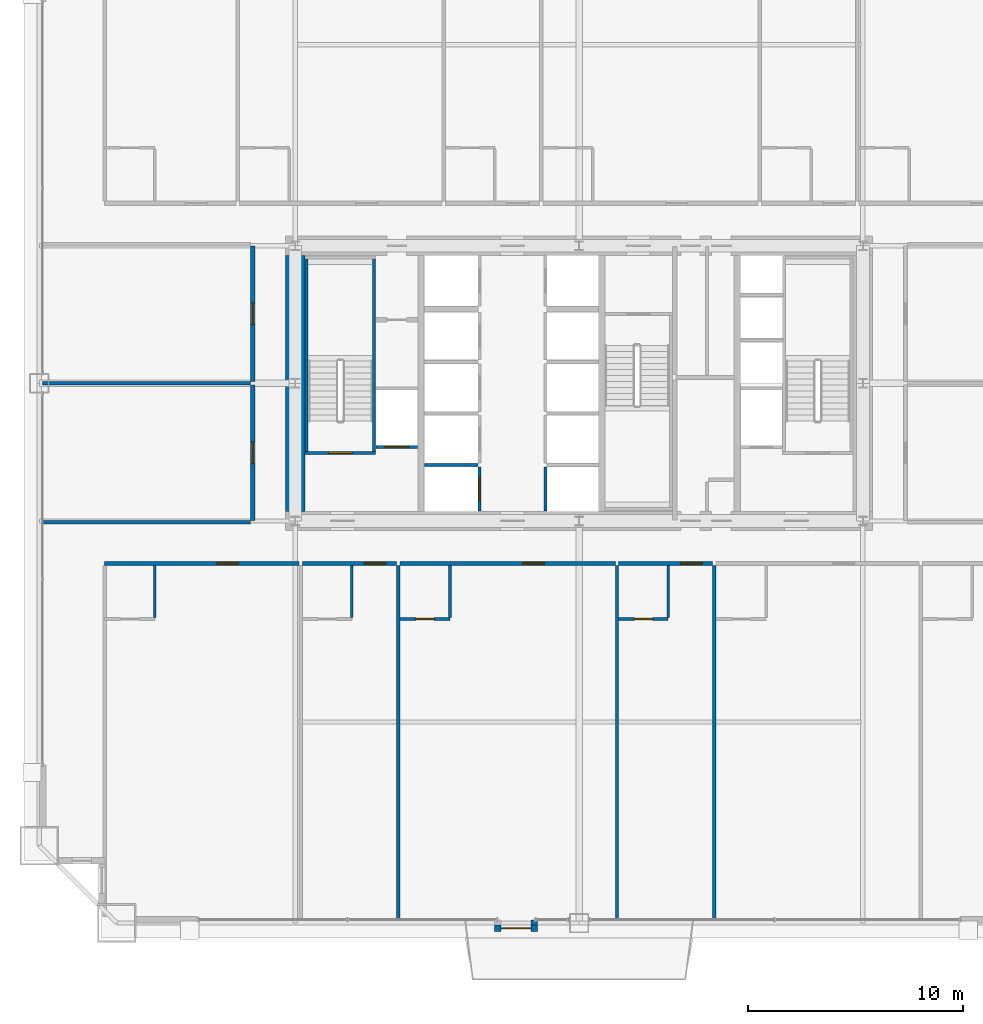
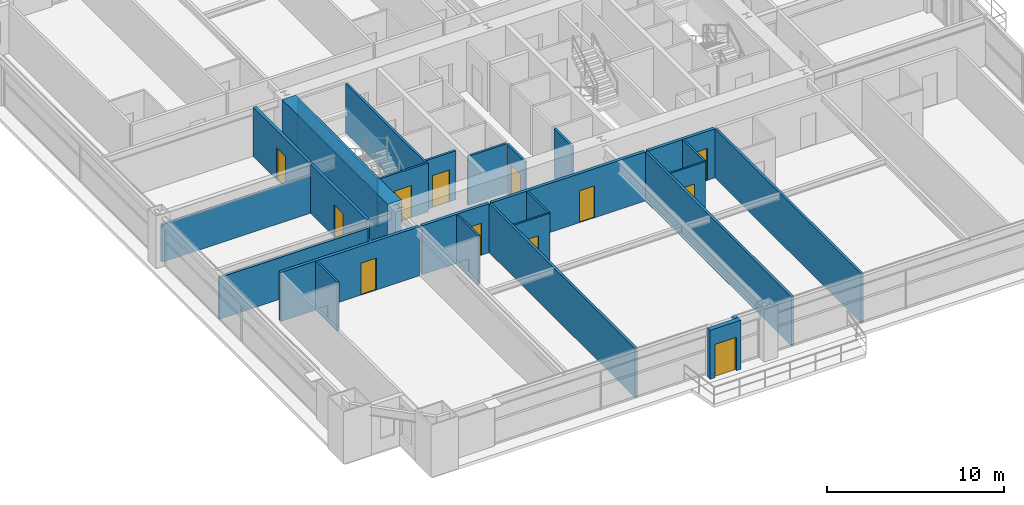
# One storey, part 38 of 43: 27 walls, 12 doors, 12 openings.
"""IFC4 building model written with IfcOpenShell, lengths in metres."""

from ifc_helpers import new_model, si_unit, direction, frame, frame_2d, origin, place, context, subcontext, project, spatial, rectangle, extrude, source, transform, mapped, material, layer, layer_set, type_object, element, fill, save


model = new_model("IFC4")

# Units and contexts
model_context = context("Model", 3, precision=1e-05, world=origin(), true_north=direction((0.0, 1.0)))
body_context = subcontext(model_context, "Body", "Model", "MODEL_VIEW")
ifc_project = project(units=[si_unit("LENGTHUNIT", "METRE"), si_unit("AREAUNIT", "SQUARE_METRE"), si_unit("VOLUMEUNIT", "CUBIC_METRE"), si_unit("PLANEANGLEUNIT", "RADIAN"), si_unit("MASSUNIT", "GRAM", prefix="KILO"), si_unit("THERMODYNAMICTEMPERATUREUNIT", "KELVIN"), si_unit("POWERUNIT", "WATT")], contexts=[model_context])

# Site, building, storey
site_placement = place(None, origin())
site = spatial("IfcSite", under=ifc_project, at=site_placement, CompositionType="ELEMENT")
building_placement = place(site_placement, origin())
building = spatial("IfcBuilding", under=site, at=building_placement, Name="Yuzanri Waterfront Tower", CompositionType="ELEMENT")
storey_placement = place(building_placement, frame((0.0, 0.0, 71.199951171875)))
storey = spatial("IfcBuildingStorey", under=building, at=storey_placement, Name="L18", CompositionType="ELEMENT", Elevation=71.199951171875)

# Wall, opening, door
ifc_material_1 = material(Name="Moisture-Resistant Gypsum Stud Wall", Category="gypsum")
ifc_layer_1 = layer(ifc_material_1, 0.1201171875)
ifc_layer_set_1 = layer_set([ifc_layer_1], Name="Moisture-Resistant Gypsum Stud Wall")
wall_type_1 = type_object("IfcWallType", Name="Bathroom and Kitchen Wet Partition 120", PredefinedType="PARTITIONING", material=ifc_layer_set_1)
wall_1_placement = place(storey_placement, frame((28.66796875, 14.840087890625, 0.0), z_axis=(0.0, 0.0, 1.0), x_axis=(1.0, 0.0, 0.0)))
wall_1 = element("IfcWall", 1, at=wall_1_placement, inside=storey, type_object=wall_type_1, Name="L18 Partition UW-L18-S3-BS", PredefinedType="PARTITIONING", context=body_context, shape_type="SweptSolid", body=[
    extrude(rectangle(XDim=2.330078125, YDim=0.1201171875, at=frame_2d((1.1650390625, 0.0))), origin(), (0.0, 0.0, 1.0), 3.380126953125),
])
opening_1_placement = place(wall_1_placement, frame((0.739990234375, 0.0, 0.0)))
opening_1 = element("IfcOpeningElement", 2, at=opening_1_placement, cuts=wall_1, Name="Opening ID-0850", PredefinedType="OPENING", context=body_context, shape_type="SweptSolid", body=[
    extrude(rectangle(XDim=0.85009765625, YDim=2.10009765625, at=frame_2d((0.425048828125, 1.050048828125))), frame((0.0, 0.074951171875, 0.0), z_axis=(0.0, -1.0, 0.0), x_axis=(1.0, 0.0, 0.0)), (0.0, 0.0, 1.0), 0.14990234375),
])
ifc_material_2 = material(Name="Moisture-Resistant Lacquered Timber", Category="wood")
door_type_1 = type_object("IfcDoorType", Name="En-Suite Bathroom and Kitchen Swing Door 850x2100", OperationType="NOTDEFINED", PredefinedType="DOOR", material=ifc_material_2)
shared_shape_1 = source(origin(), body_context, "Body", "SweptSolid", [
    extrude(rectangle(XDim=0.85009765625, YDim=2.10009765625, at=frame_2d((0.425048828125, 1.050048828125))), frame((0.0, 0.02490234375, 0.0), z_axis=(0.0, -1.0, 0.0), x_axis=(1.0, 0.0, 0.0)), (0.0, 0.0, 1.0), 0.050048828125),
])
door_1_placement = place(opening_1_placement, origin())
door_1 = element("IfcDoor", 3, at=door_1_placement, inside=storey, type_object=door_type_1, Name="L18 Guest En-Suite Door", OperationType="SINGLE_SWING_LEFT", OverallHeight=2.10009765625, OverallWidth=0.85009765625, PredefinedType="DOOR", context=body_context, shape_type="MappedRepresentation", body=[
    mapped(shared_shape_1, transform((0.0, 0.0, 0.0), scale=1.0)),
])
fill(opening_1, door_1)

wall_2_placement = place(storey_placement, frame((38.844970703125, 14.840087890625, 0.0), z_axis=(0.0, 0.0, 1.0), x_axis=(1.0, 0.0, 0.0)))
wall_2 = element("IfcWall", 4, at=wall_2_placement, inside=storey, type_object=wall_type_1, Name="L18 Partition UW-L18-S4-BS", PredefinedType="PARTITIONING", context=body_context, shape_type="SweptSolid", body=[
    extrude(rectangle(XDim=2.299072265625, YDim=0.1201171875, at=frame_2d((1.1494140625, 0.0))), origin(), (0.0, 0.0, 1.0), 3.380126953125),
])
opening_2_placement = place(wall_2_placement, frame((0.724609375, 0.0, 0.0)))
opening_2 = element("IfcOpeningElement", 5, at=opening_2_placement, cuts=wall_2, Name="Opening ID-0850", PredefinedType="OPENING", context=body_context, shape_type="SweptSolid", body=[
    extrude(rectangle(XDim=0.85009765625, YDim=2.10009765625, at=frame_2d((0.425048828125, 1.050048828125))), frame((0.0, 0.074951171875, 0.0), z_axis=(0.0, -1.0, 0.0), x_axis=(1.0, 0.0, 0.0)), (0.0, 0.0, 1.0), 0.14990234375),
])
door_2_placement = place(opening_2_placement, origin())
door_2 = element("IfcDoor", 6, at=door_2_placement, inside=storey, type_object=door_type_1, Name="L18 Guest En-Suite Door", OperationType="SINGLE_SWING_LEFT", OverallHeight=2.10009765625, OverallWidth=0.85009765625, PredefinedType="DOOR", context=body_context, shape_type="MappedRepresentation", body=[
    mapped(shared_shape_1, transform((0.0, 0.0, 0.0), scale=1.0)),
])
fill(opening_2, door_2)

ifc_material_3 = material(Name="Honed Chongqing Dark Basalt Stone", Category="masonry")
ifc_layer_2 = layer(ifc_material_3, 0.300048828125)
ifc_layer_set_2 = layer_set([ifc_layer_2], Name="Honed Chongqing Dark Basalt Stone")
wall_type_2 = type_object("IfcWallType", Name="Bronze Rainscreen Insulated Spandrel Portal Wall 300", PredefinedType="SOLIDWALL", material=ifc_layer_set_2)
wall_3_placement = place(storey_placement, frame((33.074951171875, 0.449951171875, 0.0), z_axis=(0.0, 0.0, 1.0), x_axis=(1.0, 0.0, 0.0)))
wall_3 = element("IfcWall", 7, at=wall_3_placement, inside=storey, type_object=wall_type_2, Name="L18 S Terrace Door Portal Wall", PredefinedType="SOLIDWALL", context=body_context, shape_type="SweptSolid", body=[
    extrude(rectangle(XDim=2.0, YDim=0.300048828125, at=frame_2d((1.0, 0.0))), origin(), (0.0, 0.0, 1.0), 3.380126953125),
])
opening_3_placement = place(wall_3_placement, frame((0.300048828125, 0.0, 0.0)))
opening_3 = element("IfcOpeningElement", 8, at=opening_3_placement, cuts=wall_3, Name="Opening TD-1400", PredefinedType="OPENING", context=body_context, shape_type="SweptSolid", body=[
    extrude(rectangle(XDim=1.39990234375, YDim=2.300048828125, at=frame_2d((0.699951171875, 1.14990234375))), frame((0.0, 0.1650390625, 0.0), z_axis=(0.0, -1.0, 0.0), x_axis=(1.0, 0.0, 0.0)), (0.0, 0.0, 1.0), 0.329833984375),
])
ifc_material_4 = material(Name="Anodized Architectural Bronze", Category="metal")
door_type_2 = type_object("IfcDoorType", Name="Anodized Bronze Balcony and Terrace Glazed Double Door 1400x2300", OperationType="NOTDEFINED", PredefinedType="DOOR", material=ifc_material_4)
shared_shape_2 = source(origin(), body_context, "Body", "SweptSolid", [
    extrude(rectangle(XDim=1.39990234375, YDim=2.300048828125, at=frame_2d((0.699951171875, 1.14990234375))), frame((0.0, 0.02490234375, 0.0), z_axis=(0.0, -1.0, 0.0), x_axis=(1.0, 0.0, 0.0)), (0.0, 0.0, 1.0), 0.050048828125),
])
door_3_placement = place(opening_3_placement, origin())
door_3 = element("IfcDoor", 9, at=door_3_placement, inside=storey, type_object=door_type_2, Name="L18 S Terrace Glazed Double Door", OperationType="DOUBLE_DOOR_SINGLE_SWING", OverallHeight=2.300048828125, OverallWidth=1.39990234375, PredefinedType="DOOR", context=body_context, shape_type="MappedRepresentation", body=[
    mapped(shared_shape_2, transform((0.0, 0.0, 0.0), scale=1.0)),
])
fill(opening_3, door_3)

ifc_material_5 = material(Name="Concrete C40", Category="concrete")
ifc_layer_3 = layer(ifc_material_5, 0.139892578125)
ifc_layer_set_3 = layer_set([ifc_layer_3], Name="Concrete C40")
wall_type_3 = type_object("IfcWallType", Name="Core Stair Liner and Hoistway Shaft Wall 140", PredefinedType="SOLIDWALL", material=ifc_layer_set_3)
wall_4_placement = place(storey_placement, frame((27.56005859375, 22.830078125, 0.0), z_axis=(0.0, 0.0, 1.0), x_axis=(1.0, 0.0, 0.0)))
wall_4 = element("IfcWall", 10, at=wall_4_placement, inside=storey, type_object=wall_type_3, Name="L18 Lift FL-01 Front Shaft Wall", PredefinedType="SOLIDWALL", context=body_context, shape_type="SweptSolid", body=[
    extrude(rectangle(XDim=1.919921875, YDim=0.139892578125, at=frame_2d((0.9599609375, 0.0))), origin(), (0.0, 0.0, 1.0), 3.380126953125),
])
opening_4_placement = place(wall_4_placement, frame((0.409912109375, 0.0, 0.0)))
opening_4 = element("IfcOpeningElement", 11, at=opening_4_placement, cuts=wall_4, Name="Opening LD-FL-01", PredefinedType="OPENING", context=body_context, shape_type="SweptSolid", body=[
    extrude(rectangle(XDim=1.10009765625, YDim=2.199951171875, at=frame_2d((0.550048828125, 1.10009765625))), frame((0.0, 0.0849609375, 0.0), z_axis=(0.0, -1.0, 0.0), x_axis=(1.0, 0.0, 0.0)), (0.0, 0.0, 1.0), 0.169677734375),
])
ifc_material_6 = material(Name="Brushed Bronze and Stainless Steel Cab", Category="steel")
door_type_3 = type_object("IfcDoorType", Name="Center-Parting Bronze Lift Landing Sliding Door 1100x2200", OperationType="NOTDEFINED", PredefinedType="DOOR", material=ifc_material_6)
shared_shape_3 = source(origin(), body_context, "Body", "SweptSolid", [
    extrude(rectangle(XDim=1.10009765625, YDim=2.199951171875, at=frame_2d((0.550048828125, 1.10009765625))), frame((0.0, 0.02490234375, 0.0), z_axis=(0.0, -1.0, 0.0), x_axis=(1.0, 0.0, 0.0)), (0.0, 0.0, 1.0), 0.050048828125),
])
door_4_placement = place(opening_4_placement, origin())
door_4 = element("IfcDoor", 12, at=door_4_placement, inside=storey, type_object=door_type_3, Name="L18 FL-01 Lift Landing Sliding Door", OperationType="SLIDING_TO_LEFT", OverallHeight=2.199951171875, OverallWidth=1.10009765625, PredefinedType="DOOR", context=body_context, shape_type="MappedRepresentation", body=[
    mapped(shared_shape_3, transform((0.0, 0.0, 0.0), scale=1.0)),
])
fill(opening_4, door_4)

wall_5_placement = place(storey_placement, frame((32.3701171875, 19.860107421875, 0.0), z_axis=(0.0, 0.0, 1.0), x_axis=(0.0, 1.0, 0.0)))
wall_5 = element("IfcWall", 13, at=wall_5_placement, inside=storey, type_object=wall_type_3, Name="L18 Lift PL-01 Front Shaft Wall", PredefinedType="SOLIDWALL", context=body_context, shape_type="SweptSolid", body=[
    extrude(rectangle(XDim=2.039794921875, YDim=0.139892578125, at=frame_2d((1.02001953125, 0.0))), origin(), (0.0, 0.0, 1.0), 3.380126953125),
])
opening_5_placement = place(wall_5_placement, frame((0.469970703125, 0.0, 0.0)))
opening_5 = element("IfcOpeningElement", 14, at=opening_5_placement, cuts=wall_5, Name="Opening LD-PL-01", PredefinedType="OPENING", context=body_context, shape_type="SweptSolid", body=[
    extrude(rectangle(XDim=1.10009765625, YDim=2.199951171875, at=frame_2d((0.550048828125, 1.10009765625))), frame((0.0, 0.0849609375, 0.0), z_axis=(0.0, -1.0, 0.0), x_axis=(1.0, 0.0, 0.0)), (0.0, 0.0, 1.0), 0.169677734375),
])
door_5_placement = place(opening_5_placement, origin())
door_5 = element("IfcDoor", 15, at=door_5_placement, inside=storey, type_object=door_type_3, Name="L18 PL-01 Lift Landing Sliding Door", OperationType="SLIDING_TO_LEFT", OverallHeight=2.199951171875, OverallWidth=1.10009765625, PredefinedType="DOOR", context=body_context, shape_type="MappedRepresentation", body=[
    mapped(shared_shape_3, transform((0.0, 0.0, 0.0), scale=1.0)),
])
fill(opening_5, door_5)

wall_6_placement = place(storey_placement, frame((24.260009765625, 22.570068359375, 0.0), z_axis=(0.0, 0.0, 1.0), x_axis=(1.0, 0.0, 0.0)))
wall_6 = element("IfcWall", 16, at=wall_6_placement, inside=storey, type_object=wall_type_3, Name="L18 Shaft Wall STW-L18-ST-01-S", PredefinedType="SOLIDWALL", context=body_context, shape_type="SweptSolid", body=[
    extrude(rectangle(XDim=3.280029296875, YDim=0.139892578125, at=frame_2d((1.64013671875, 0.0))), origin(), (0.0, 0.0, 1.0), 3.380126953125),
])
opening_6_placement = place(wall_6_placement, frame((1.090087890625, 0.0, 0.0)))
opening_6 = element("IfcOpeningElement", 17, at=opening_6_placement, cuts=wall_6, Name="Opening FD-1100", PredefinedType="OPENING", context=body_context, shape_type="SweptSolid", body=[
    extrude(rectangle(XDim=1.10009765625, YDim=2.199951171875, at=frame_2d((0.550048828125, 1.10009765625))), frame((0.0, 0.0849609375, 0.0), z_axis=(0.0, -1.0, 0.0), x_axis=(1.0, 0.0, 0.0)), (0.0, 0.0, 1.0), 0.169677734375),
])
ifc_material_7 = material(Name="Painted Galvanized Fire Steel", Category="steel")
door_type_4 = type_object("IfcDoorType", Name="Smoke-Proof Stair and Lobby Fire Door 1100x2200", OperationType="NOTDEFINED", PredefinedType="DOOR", material=ifc_material_7)
shared_shape_4 = source(origin(), body_context, "Body", "SweptSolid", [
    extrude(rectangle(XDim=1.10009765625, YDim=2.199951171875, at=frame_2d((0.550048828125, 1.10009765625))), frame((0.0, 0.02490234375, 0.0), z_axis=(0.0, -1.0, 0.0), x_axis=(1.0, 0.0, 0.0)), (0.0, 0.0, 1.0), 0.050048828125),
])
door_6_placement = place(opening_6_placement, origin())
door_6 = element("IfcDoor", 18, at=door_6_placement, inside=storey, type_object=door_type_4, Name="L18 Stair ST-01 Fire Door", OperationType="SINGLE_SWING_RIGHT", OverallHeight=2.199951171875, OverallWidth=1.10009765625, PredefinedType="DOOR", context=body_context, shape_type="MappedRepresentation", body=[
    mapped(shared_shape_4, transform((0.0, 0.0, 0.0), scale=1.0)),
])
fill(opening_6, door_6)

ifc_material_8 = material(Name="Autoclaved Aerated Concrete Blockwork", Category="masonry")
ifc_layer_4 = layer(ifc_material_8, 0.199951171875)
ifc_layer_set_4 = layer_set([ifc_layer_4], Name="Autoclaved Aerated Concrete Blockwork")
wall_type_4 = type_object("IfcWallType", Name="Corridor and Unit Party Fire Wall 200", PredefinedType="PARTITIONING", material=ifc_layer_set_4)
wall_7_placement = place(storey_placement, frame((14.93994140625, 17.419921875, 0.0), z_axis=(0.0, 0.0, 1.0), x_axis=(1.0, 0.0, 0.0)))
wall_7 = element("IfcWall", 19, at=wall_7_placement, inside=storey, type_object=wall_type_4, Name="L18 Partition UW-L18-S1-CN", PredefinedType="PARTITIONING", context=body_context, shape_type="SweptSolid", body=[
    extrude(rectangle(XDim=9.0380859375, YDim=0.199951171875, at=frame_2d((4.51904296875, 0.0))), origin(), (0.0, 0.0, 1.0), 3.380126953125),
])
opening_7_placement = place(wall_7_placement, frame((5.22412109375, 0.0, 0.0)))
opening_7 = element("IfcOpeningElement", 20, at=opening_7_placement, cuts=wall_7, Name="Opening FD-1000", PredefinedType="OPENING", context=body_context, shape_type="SweptSolid", body=[
    extrude(rectangle(XDim=1.0, YDim=2.199951171875, at=frame_2d((0.5, 1.10009765625))), frame((0.0, 0.11474609375, 0.0), z_axis=(0.0, -1.0, 0.0), x_axis=(1.0, 0.0, 0.0)), (0.0, 0.0, 1.0), 0.229736328125),
])
ifc_material_9 = material(Name="Engineered Oak Fire-Rated Timber", Category="wood")
door_type_5 = type_object("IfcDoorType", Name="Guestroom and Apartment Entrance Fire Door 1000x2200", OperationType="NOTDEFINED", PredefinedType="DOOR", material=ifc_material_9)
shared_shape_5 = source(origin(), body_context, "Body", "SweptSolid", [
    extrude(rectangle(XDim=1.0, YDim=2.199951171875, at=frame_2d((0.5, 1.10009765625))), frame((0.0, 0.02490234375, 0.0), z_axis=(0.0, -1.0, 0.0), x_axis=(1.0, 0.0, 0.0)), (0.0, 0.0, 1.0), 0.050048828125),
])
door_7_placement = place(opening_7_placement, origin())
door_7 = element("IfcDoor", 21, at=door_7_placement, inside=storey, type_object=door_type_5, Name="L18 Junior Riverview Suite Entrance Door", OperationType="SINGLE_SWING_RIGHT", OverallHeight=2.199951171875, OverallWidth=1.0, PredefinedType="DOOR", context=body_context, shape_type="MappedRepresentation", body=[
    mapped(shared_shape_5, transform((0.0, 0.0, 0.0), scale=1.0)),
])
fill(opening_7, door_7)

wall_8_placement = place(storey_placement, frame((24.137939453125, 17.419921875, 0.0), z_axis=(0.0, 0.0, 1.0), x_axis=(1.0, 0.0, 0.0)))
wall_8 = element("IfcWall", 22, at=wall_8_placement, inside=storey, type_object=wall_type_4, Name="L18 Partition UW-L18-S2-CN", PredefinedType="PARTITIONING", context=body_context, shape_type="SweptSolid", body=[
    extrude(rectangle(XDim=4.3701171875, YDim=0.199951171875, at=frame_2d((2.18505859375, 0.0))), origin(), (0.0, 0.0, 1.0), 3.380126953125),
])
opening_8_placement = place(wall_8_placement, frame((2.875, 0.0, 0.0)))
opening_8 = element("IfcOpeningElement", 23, at=opening_8_placement, cuts=wall_8, Name="Opening FD-1000", PredefinedType="OPENING", context=body_context, shape_type="SweptSolid", body=[
    extrude(rectangle(XDim=1.0, YDim=2.199951171875, at=frame_2d((0.5, 1.10009765625))), frame((0.0, 0.11474609375, 0.0), z_axis=(0.0, -1.0, 0.0), x_axis=(1.0, 0.0, 0.0)), (0.0, 0.0, 1.0), 0.229736328125),
])
door_8_placement = place(opening_8_placement, origin())
door_8 = element("IfcDoor", 24, at=door_8_placement, inside=storey, type_object=door_type_5, Name="L18 Junior Riverview Suite Entrance Door", OperationType="SINGLE_SWING_RIGHT", OverallHeight=2.199951171875, OverallWidth=1.0, PredefinedType="DOOR", context=body_context, shape_type="MappedRepresentation", body=[
    mapped(shared_shape_5, transform((0.0, 0.0, 0.0), scale=1.0)),
])
fill(opening_8, door_8)

wall_9_placement = place(storey_placement, frame((28.66796875, 17.419921875, 0.0), z_axis=(0.0, 0.0, 1.0), x_axis=(1.0, 0.0, 0.0)))
wall_9 = element("IfcWall", 25, at=wall_9_placement, inside=storey, type_object=wall_type_4, Name="L18 Partition UW-L18-S3-CN", PredefinedType="PARTITIONING", context=body_context, shape_type="SweptSolid", body=[
    extrude(rectangle(XDim=10.01708984375, YDim=0.199951171875, at=frame_2d((5.008544921875, 0.0))), origin(), (0.0, 0.0, 1.0), 3.380126953125),
])
opening_9_placement = place(wall_9_placement, frame((5.714111328125, 0.0, 0.0)))
opening_9 = element("IfcOpeningElement", 26, at=opening_9_placement, cuts=wall_9, Name="Opening FD-1000", PredefinedType="OPENING", context=body_context, shape_type="SweptSolid", body=[
    extrude(rectangle(XDim=1.0, YDim=2.199951171875, at=frame_2d((0.5, 1.10009765625))), frame((0.0, 0.11474609375, 0.0), z_axis=(0.0, -1.0, 0.0), x_axis=(1.0, 0.0, 0.0)), (0.0, 0.0, 1.0), 0.229736328125),
])
door_9_placement = place(opening_9_placement, origin())
door_9 = element("IfcDoor", 27, at=door_9_placement, inside=storey, type_object=door_type_5, Name="L18 Junior Riverview Suite Entrance Door", OperationType="SINGLE_SWING_RIGHT", OverallHeight=2.199951171875, OverallWidth=1.0, PredefinedType="DOOR", context=body_context, shape_type="MappedRepresentation", body=[
    mapped(shared_shape_5, transform((0.0, 0.0, 0.0), scale=1.0)),
])
fill(opening_9, door_9)

wall_10_placement = place(storey_placement, frame((38.844970703125, 17.419921875, 0.0), z_axis=(0.0, 0.0, 1.0), x_axis=(1.0, 0.0, 0.0)))
wall_10 = element("IfcWall", 28, at=wall_10_placement, inside=storey, type_object=wall_type_4, Name="L18 Partition UW-L18-S4-CN", PredefinedType="PARTITIONING", context=body_context, shape_type="SweptSolid", body=[
    extrude(rectangle(XDim=4.369140625, YDim=0.199951171875, at=frame_2d((2.1845703125, 0.0))), origin(), (0.0, 0.0, 1.0), 3.380126953125),
])
opening_10_placement = place(wall_10_placement, frame((2.8740234375, 0.0, 0.0)))
opening_10 = element("IfcOpeningElement", 29, at=opening_10_placement, cuts=wall_10, Name="Opening FD-1000", PredefinedType="OPENING", context=body_context, shape_type="SweptSolid", body=[
    extrude(rectangle(XDim=1.0, YDim=2.199951171875, at=frame_2d((0.5, 1.10009765625))), frame((0.0, 0.11474609375, 0.0), z_axis=(0.0, -1.0, 0.0), x_axis=(1.0, 0.0, 0.0)), (0.0, 0.0, 1.0), 0.229736328125),
])
door_10_placement = place(opening_10_placement, origin())
door_10 = element("IfcDoor", 30, at=door_10_placement, inside=storey, type_object=door_type_5, Name="L18 Junior Riverview Suite Entrance Door", OperationType="SINGLE_SWING_RIGHT", OverallHeight=2.199951171875, OverallWidth=1.0, PredefinedType="DOOR", context=body_context, shape_type="MappedRepresentation", body=[
    mapped(shared_shape_5, transform((0.0, 0.0, 0.0), scale=1.0)),
])
fill(opening_10, door_10)

wall_11_placement = place(storey_placement, frame((21.820068359375, 19.409912109375, 0.0), z_axis=(0.0, 0.0, 1.0), x_axis=(0.0, 1.0, 0.0)))
wall_11 = element("IfcWall", 31, at=wall_11_placement, inside=storey, type_object=wall_type_4, Name="L18 Partition UW-L18-W1-CW", PredefinedType="PARTITIONING", context=body_context, shape_type="SweptSolid", body=[
    extrude(rectangle(XDim=6.31005859375, YDim=0.199951171875, at=frame_2d((3.155029296875, 0.0))), origin(), (0.0, 0.0, 1.0), 3.380126953125),
])
opening_11_placement = place(wall_11_placement, frame((2.655029296875, 0.0, 0.0)))
opening_11 = element("IfcOpeningElement", 32, at=opening_11_placement, cuts=wall_11, Name="Opening FD-1000", PredefinedType="OPENING", context=body_context, shape_type="SweptSolid", body=[
    extrude(rectangle(XDim=1.0, YDim=2.199951171875, at=frame_2d((0.5, 1.10009765625))), frame((0.0, 0.11474609375, 0.0), z_axis=(0.0, -1.0, 0.0), x_axis=(1.0, 0.0, 0.0)), (0.0, 0.0, 1.0), 0.229736328125),
])
door_11_placement = place(opening_11_placement, origin())
door_11 = element("IfcDoor", 33, at=door_11_placement, inside=storey, type_object=door_type_5, Name="L18 Tea Ceremony Restaurant Entrance Door", OperationType="SINGLE_SWING_RIGHT", OverallHeight=2.199951171875, OverallWidth=1.0, PredefinedType="DOOR", context=body_context, shape_type="MappedRepresentation", body=[
    mapped(shared_shape_5, transform((0.0, 0.0, 0.0), scale=1.0)),
])
fill(opening_11, door_11)

wall_12_placement = place(storey_placement, frame((21.820068359375, 25.8798828125, 0.0), z_axis=(0.0, 0.0, 1.0), x_axis=(0.0, 1.0, 0.0)))
wall_12 = element("IfcWall", 34, at=wall_12_placement, inside=storey, type_object=wall_type_4, Name="L18 Partition UW-L18-W2-CW", PredefinedType="PARTITIONING", context=body_context, shape_type="SweptSolid", body=[
    extrude(rectangle(XDim=6.31005859375, YDim=0.199951171875, at=frame_2d((3.155029296875, 0.0))), origin(), (0.0, 0.0, 1.0), 3.380126953125),
])
opening_12_placement = place(wall_12_placement, frame((2.655029296875, 0.0, 0.0)))
opening_12 = element("IfcOpeningElement", 35, at=opening_12_placement, cuts=wall_12, Name="Opening FD-1000", PredefinedType="OPENING", context=body_context, shape_type="SweptSolid", body=[
    extrude(rectangle(XDim=1.0, YDim=2.199951171875, at=frame_2d((0.5, 1.10009765625))), frame((0.0, 0.11474609375, 0.0), z_axis=(0.0, -1.0, 0.0), x_axis=(1.0, 0.0, 0.0)), (0.0, 0.0, 1.0), 0.229736328125),
])
door_12_placement = place(opening_12_placement, origin())
door_12 = element("IfcDoor", 36, at=door_12_placement, inside=storey, type_object=door_type_5, Name="L18 Specialty Dining Restaurant Entrance Door", OperationType="SINGLE_SWING_LEFT", OverallHeight=2.199951171875, OverallWidth=1.0, PredefinedType="DOOR", context=body_context, shape_type="MappedRepresentation", body=[
    mapped(shared_shape_5, transform((0.0, 0.0, 0.0), scale=1.0)),
])
fill(opening_12, door_12)

# Walls
ifc_material_10 = material(Name="Concrete C60", Category="concrete")
ifc_layer_5 = layer(ifc_material_10, 0.89990234375)
ifc_layer_set_5 = layer_set([ifc_layer_5], Name="Concrete C60")
wall_type_5 = type_object("IfcWallType", Name="Concrete C60 Lower Zone Core Shear Wall 900", PredefinedType="SHEAR", material=ifc_layer_set_5)
shared_shape_6 = source(origin(), body_context, "Body", "SweptSolid", [
    extrude(rectangle(XDim=11.89990234375, YDim=0.89990234375, at=frame_2d((5.949951171875, 0.0))), origin(), (0.0, 0.0, 1.0), 3.60009765625),
])
wall_13_placement = place(storey_placement, frame((23.800048828125, 19.85009765625, 0.0), z_axis=(0.0, 0.0, 1.0), x_axis=(0.0, 1.0, 0.0)))
element("IfcWall", 37, at=wall_13_placement, inside=storey, type_object=wall_type_5, Name="L18 Core West Shear Wall", PredefinedType="SHEAR", context=body_context, shape_type="MappedRepresentation", body=[
    mapped(shared_shape_6, transform((0.0, 0.0, 0.0), scale=1.0)),
])
shared_shape_7 = source(origin(), body_context, "Body", "SweptSolid", [
    extrude(rectangle(XDim=0.25, YDim=0.300048828125, at=frame_2d((0.125, 0.0))), origin(), (0.0, 0.0, 1.0), 3.380126953125),
])
wall_14_placement = place(storey_placement, frame((34.925048828125, 0.60009765625, 0.0), z_axis=(0.0, 0.0, 1.0), x_axis=(0.0, 1.0, 0.0)))
element("IfcWall", 38, at=wall_14_placement, inside=storey, type_object=wall_type_2, Name="L18 S Terrace Portal Right Return", PredefinedType="SOLIDWALL", context=body_context, shape_type="MappedRepresentation", body=[
    mapped(shared_shape_7, transform((0.0, 0.0, 0.0), scale=1.0)),
])
shared_shape_8 = source(origin(), body_context, "Body", "SweptSolid", [
    extrude(rectangle(XDim=2.5, YDim=0.139892578125, at=frame_2d((1.25, 0.0))), origin(), (0.0, 0.0, 1.0), 3.380126953125),
])
wall_15_placement = place(storey_placement, frame((29.800048828125, 22.0, 0.0), z_axis=(0.0, 0.0, 1.0), x_axis=(1.0, 0.0, 0.0)))
element("IfcWall", 39, at=wall_15_placement, inside=storey, type_object=wall_type_3, Name="L18 Lift PL-01 Divider Wall", PredefinedType="SOLIDWALL", context=body_context, shape_type="MappedRepresentation", body=[
    mapped(shared_shape_8, transform((0.0, 0.0, 0.0), scale=1.0)),
])
shared_shape_9 = source(origin(), body_context, "Body", "SweptSolid", [
    extrude(rectangle(XDim=2.039794921875, YDim=0.139892578125, at=frame_2d((1.02001953125, 0.0))), origin(), (0.0, 0.0, 1.0), 3.380126953125),
])
wall_16_placement = place(storey_placement, frame((35.429931640625, 19.860107421875, 0.0), z_axis=(0.0, 0.0, 1.0), x_axis=(0.0, 1.0, 0.0)))
element("IfcWall", 40, at=wall_16_placement, inside=storey, type_object=wall_type_3, Name="L18 Lift PL-05 Front Shaft Wall", PredefinedType="SOLIDWALL", context=body_context, shape_type="MappedRepresentation", body=[
    mapped(shared_shape_9, transform((0.0, 0.0, 0.0), scale=1.0)),
])
ifc_material_11 = material(Name="Gypsum Fireboard Acoustic Stud Wall", Category="gypsum")
ifc_layer_6 = layer(ifc_material_11, 0.159912109375)
ifc_layer_set_6 = layer_set([ifc_layer_6], Name="Gypsum Fireboard Acoustic Stud Wall")
wall_type_6 = type_object("IfcWallType", Name="Acoustic Suite Demising Partition 160", PredefinedType="PARTITIONING", material=ifc_layer_set_6)
shared_shape_10 = source(origin(), body_context, "Body", "SweptSolid", [
    extrude(rectangle(XDim=9.669921875, YDim=0.159912109375, at=frame_2d((4.8349609375, 0.0))), origin(), (0.0, 0.0, 1.0), 2.574951171875),
])
wall_17_placement = place(storey_placement, frame((12.050048828125, 25.800048828125, 0.0), z_axis=(0.0, 0.0, 1.0), x_axis=(1.0, 0.0, 0.0)))
element("IfcWall", 41, at=wall_17_placement, inside=storey, type_object=wall_type_6, Name="L18-W1 Wing Party Wall", PredefinedType="PARTITIONING", context=body_context, shape_type="MappedRepresentation", body=[
    mapped(shared_shape_10, transform((0.0, 0.0, 0.0), scale=1.0)),
])
shared_shape_11 = source(origin(), body_context, "Body", "SweptSolid", [
    extrude(rectangle(XDim=9.669921875, YDim=0.159912109375, at=frame_2d((4.8349609375, 0.0))), origin(), (0.0, 0.0, 1.0), 2.875),
])
wall_18_placement = place(storey_placement, frame((12.050048828125, 19.330078125, 0.0), z_axis=(0.0, 0.0, 1.0), x_axis=(1.0, 0.0, 0.0)))
element("IfcWall", 42, at=wall_18_placement, inside=storey, type_object=wall_type_6, Name="L18-W1 Wing South End Wall", PredefinedType="PARTITIONING", context=body_context, shape_type="MappedRepresentation", body=[
    mapped(shared_shape_11, transform((0.0, 0.0, 0.0), scale=1.0)),
])
shared_shape_12 = source(origin(), body_context, "Body", "SweptSolid", [
    extrude(rectangle(XDim=8.940185546875, YDim=0.139892578125, at=frame_2d((4.47021484375, 0.0))), origin(), (0.0, 0.0, 1.0), 3.380126953125),
])
for number, where, z_axis, x_axis, name in (
    (43, (24.330078125, 22.639892578125, 0.0), (0.0, 0.0, 1.0), (0.0, 1.0, 0.0), "L18 Stair ST-01 West Shaft Wall"),
    (44, (27.469970703125, 22.639892578125, 0.0), (0.0, 0.0, 1.0), (0.0, 1.0, 0.0), "L18 Stair ST-01 East Shaft Wall"),
):
    element("IfcWall", number, at=place(storey_placement, frame(where, z_axis=z_axis, x_axis=x_axis)), inside=storey, type_object=wall_type_3, Name=name, PredefinedType="SOLIDWALL", context=body_context, shape_type="MappedRepresentation", body=[
        mapped(shared_shape_12, transform((0.0, 0.0, 0.0), scale=1.0)),
    ])
shared_shape_13 = source(origin(), body_context, "Body", "SweptSolid", [
    extrude(rectangle(XDim=16.469970703125, YDim=0.159912109375, at=frame_2d((8.23486328125, 0.0))), origin(), (0.0, 0.0, 1.0), 3.380126953125),
])
for number, where, z_axis, x_axis, name in (
    (45, (28.587890625, 0.85009765625, 0.0), (0.0, 0.0, 1.0), (0.0, 1.0, 0.0), "L18-S2 Party Wall"),
    (46, (38.764892578125, 0.85009765625, 0.0), (0.0, 0.0, 1.0), (0.0, 1.0, 0.0), "L18-S3 Party Wall"),
    (47, (43.2939453125, 0.85009765625, 0.0), (0.0, 0.0, 1.0), (0.0, 1.0, 0.0), "L18-S4 Party Wall"),
):
    element("IfcWall", number, at=place(storey_placement, frame(where, z_axis=z_axis, x_axis=x_axis)), inside=storey, type_object=wall_type_6, Name=name, PredefinedType="PARTITIONING", context=body_context, shape_type="MappedRepresentation", body=[
        mapped(shared_shape_13, transform((0.0, 0.0, 0.0), scale=1.0)),
    ])
shared_shape_14 = source(origin(), body_context, "Body", "SweptSolid", [
    extrude(rectangle(XDim=2.420166015625, YDim=0.1201171875, at=frame_2d((1.2099609375, 0.0))), origin(), (0.0, 0.0, 1.0), 3.380126953125),
])
for number, where, z_axis, x_axis, name in (
    (48, (17.27001953125, 14.89990234375, 0.0), (0.0, 0.0, 1.0), (0.0, 1.0, 0.0), "L18-S1 En-Suite Side Wall"),
    (49, (26.43798828125, 14.89990234375, 0.0), (0.0, 0.0, 1.0), (0.0, 1.0, 0.0), "L18-S2 En-Suite Side Wall"),
    (50, (30.998046875, 14.89990234375, 0.0), (0.0, 0.0, 1.0), (0.0, 1.0, 0.0), "L18-S3 En-Suite Side Wall"),
    (51, (41.14404296875, 14.89990234375, 0.0), (0.0, 0.0, 1.0), (0.0, 1.0, 0.0), "L18-S4 En-Suite Side Wall"),
):
    element("IfcWall", number, at=place(storey_placement, frame(where, z_axis=z_axis, x_axis=x_axis)), inside=storey, type_object=wall_type_1, Name=name, PredefinedType="PARTITIONING", context=body_context, shape_type="MappedRepresentation", body=[
        mapped(shared_shape_14, transform((0.0, 0.0, 0.0), scale=1.0)),
    ])

save(model, "model.ifc")
